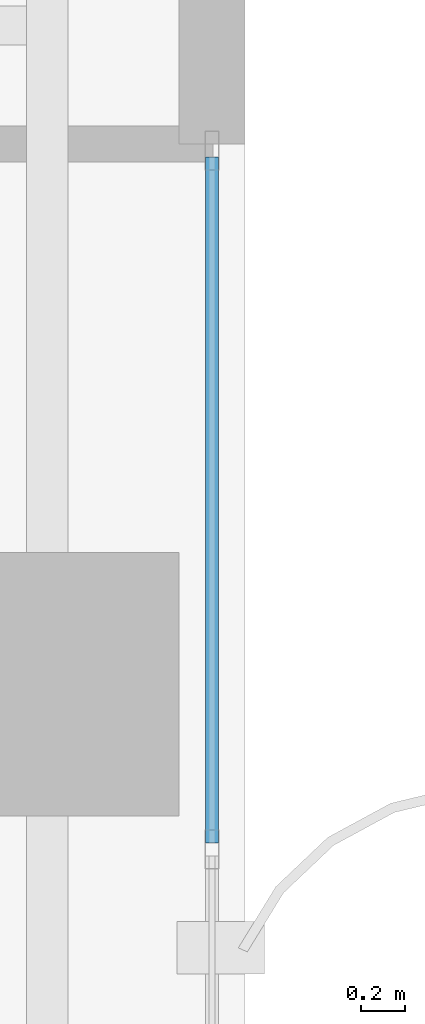
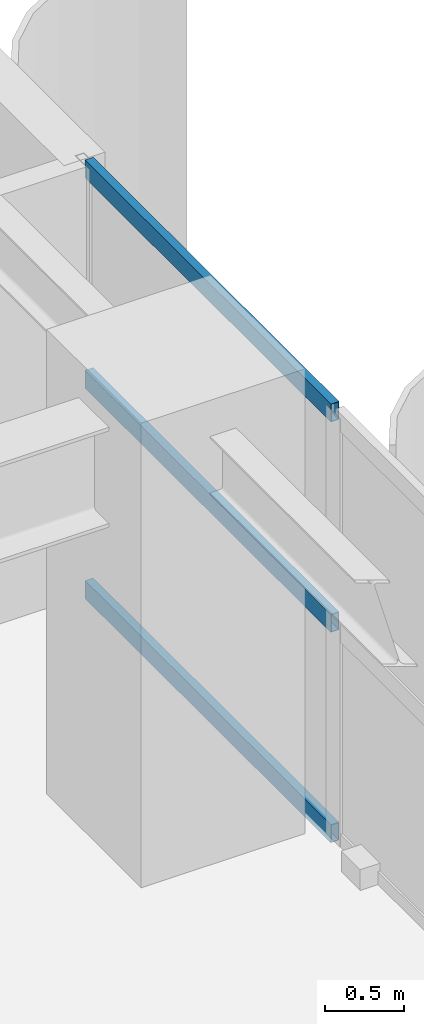
# One storey, part 5 of 18: 3 members, 1 element without a shape of its own.
"""IFC4 building model written with IfcOpenShell, lengths in metres."""

from ifc_helpers import new_model, si_unit, direction, frame, origin, origin_2d, place, context, subcontext, project, spatial, hollow_rectangle, extrude, source, transform, mapped, material, layer, layer_set, material_profile, profile_set, type_object, element, aggregate, save


model = new_model("IFC4")

# Units and contexts
model_context = context("Model", 3, precision=1e-05, world=origin(), true_north=direction((0.0, 1.0)))
body_context = subcontext(model_context, "Body", "Model", "MODEL_VIEW")
ifc_project = project(units=[si_unit("LENGTHUNIT", "METRE"), si_unit("AREAUNIT", "SQUARE_METRE"), si_unit("VOLUMEUNIT", "CUBIC_METRE"), si_unit("PLANEANGLEUNIT", "RADIAN"), si_unit("MASSUNIT", "GRAM", prefix="KILO")], contexts=[model_context])

# Site, building, storey
site_placement = place(None, origin())
site = spatial("IfcSite", under=ifc_project, at=site_placement, CompositionType="ELEMENT")
building_placement = place(site_placement, origin())
building = spatial("IfcBuilding", under=site, at=building_placement, Name="Khoralis Quay Care Tower", CompositionType="ELEMENT")
storey_placement = place(building_placement, frame((0.0, 0.0, 47.699951171875)))
storey = spatial("IfcBuildingStorey", under=building, at=storey_placement, Name="L12", CompositionType="ELEMENT", Elevation=47.699951171875)

# Curtain wall, members
ifc_material = material(Name="Pale anodised aluminium", Category="aluminium")
ifc_layer = layer(ifc_material, 0.179931640625)
ifc_layer_set = layer_set([ifc_layer], Name="Pale anodised aluminium")
curtain_wall_type = type_object("IfcCurtainWallType", Name="CW-SYS-Z1", PredefinedType="NOTDEFINED", material=ifc_layer_set)
curtain_wall_placement = place(storey_placement, origin())
curtain_wall = element("IfcCurtainWall", 1, at=curtain_wall_placement, inside=storey, type_object=curtain_wall_type, Name="L12 Unitised Curtain Wall CW-L12-P1-E5", PredefinedType="NOTDEFINED")
ifc_material_profile = material_profile(ifc_material, hollow_rectangle(XDim=0.06005859375, YDim=0.139892578125, WallThickness=0.00390625, at=origin_2d()), Name="Pale anodised aluminium")
ifc_profile_set = profile_set([ifc_material_profile], Name="Pale anodised aluminium")
member_type = type_object("IfcMemberType", Name="CW-TRN-140", PredefinedType="USERDEFINED", material=ifc_profile_set)
shared_shape = source(origin(), body_context, "Body", "SweptSolid", [
    extrude(hollow_rectangle(XDim=0.06005859375, YDim=0.139892578125, WallThickness=0.00390625, at=origin_2d()), origin(), (0.0, 0.0, 1.0), 3.121826171875),
])
member_1_placement = place(storey_placement, frame((47.85009765625, 29.278076171875, 0.030029296875), z_axis=(0.0, 1.0, 0.0), x_axis=(-1.0, 0.0, 0.0)))
member_1 = element("IfcMember", 2, at=member_1_placement, type_object=member_type, Name="CW1 transom 5.1", ObjectType="TRANSOM", PredefinedType="USERDEFINED", context=body_context, shape_type="MappedRepresentation", body=[
    mapped(shared_shape, transform((0.0, 0.0, 0.0), scale=1.0)),
])
member_2_placement = place(storey_placement, frame((47.85009765625, 29.278076171875, 1.66015625), z_axis=(0.0, 1.0, 0.0), x_axis=(-1.0, 0.0, 0.0)))
member_2 = element("IfcMember", 3, at=member_2_placement, type_object=member_type, Name="CW1 transom 5.2", ObjectType="TRANSOM", PredefinedType="USERDEFINED", context=body_context, shape_type="MappedRepresentation", body=[
    mapped(shared_shape, transform((0.0, 0.0, 0.0), scale=1.0)),
])
member_3_placement = place(storey_placement, frame((47.85009765625, 29.278076171875, 3.2900390625), z_axis=(0.0, 1.0, 0.0), x_axis=(-1.0, 0.0, 0.0)))
member_3 = element("IfcMember", 4, at=member_3_placement, type_object=member_type, Name="CW1 transom 5.3", ObjectType="TRANSOM", PredefinedType="USERDEFINED", context=body_context, shape_type="MappedRepresentation", body=[
    mapped(shared_shape, transform((0.0, 0.0, 0.0), scale=1.0)),
])
aggregate(curtain_wall, [member_1, member_2, member_3])

save(model, "model.ifc")
